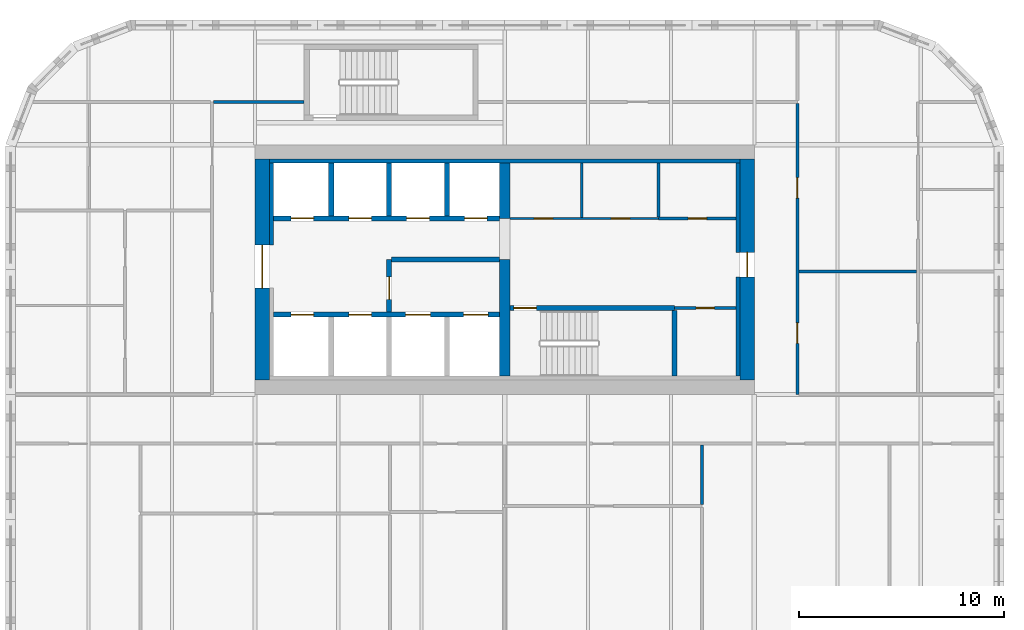
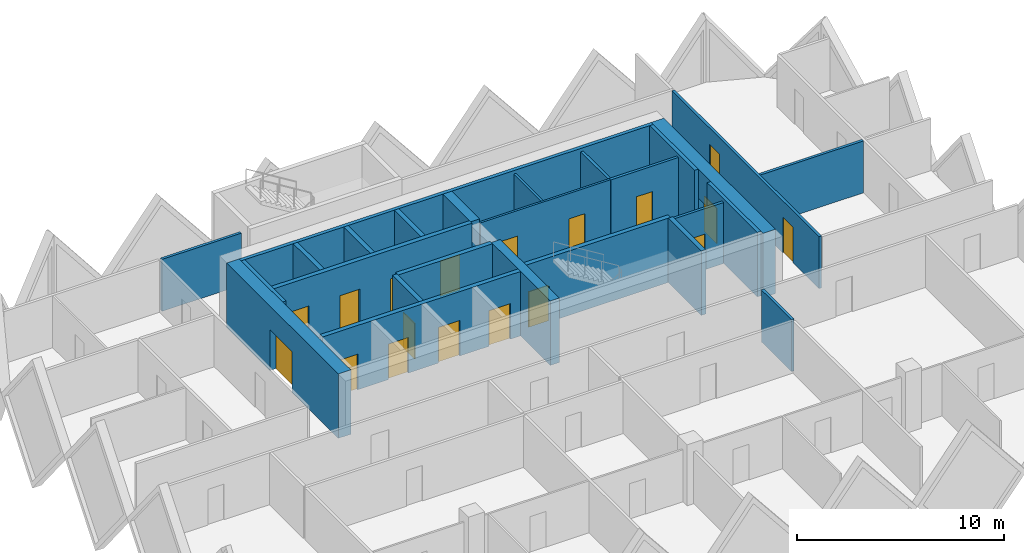
# One storey, part 14 of 19: 26 walls, 18 doors, 18 openings.
"""IFC4 building model written with IfcOpenShell, lengths in metres."""

from ifc_helpers import new_model, si_unit, direction, frame, frame_2d, origin, place, context, subcontext, project, spatial, rectangle, extrude, source, transform, mapped, material, layer, layer_set, type_object, element, fill, save


model = new_model("IFC4")

# Units and contexts
model_context = context("Model", 3, precision=1e-05, world=origin(), true_north=direction((0.0, 1.0)))
body_context = subcontext(model_context, "Body", "Model", "MODEL_VIEW")
ifc_project = project(units=[si_unit("LENGTHUNIT", "METRE"), si_unit("AREAUNIT", "SQUARE_METRE"), si_unit("VOLUMEUNIT", "CUBIC_METRE"), si_unit("PLANEANGLEUNIT", "RADIAN"), si_unit("MASSUNIT", "GRAM", prefix="KILO")], contexts=[model_context])

# Site, building, storey
site_placement = place(None, origin())
site = spatial("IfcSite", under=ifc_project, at=site_placement, CompositionType="ELEMENT")
building_placement = place(site_placement, origin())
building = spatial("IfcBuilding", under=site, at=building_placement, Name="Tessera Gate Towers", CompositionType="ELEMENT")
storey_placement = place(building_placement, frame((0.0, 0.0, 33.39990234375)))
storey = spatial("IfcBuildingStorey", under=building, at=storey_placement, Name="L07", CompositionType="ELEMENT", Elevation=33.39990234375)

# Wall, openings, doors
ifc_material_1 = material(Name="Concrete C40/50", Category="concrete")
ifc_layer_1 = layer(ifc_material_1, 0.25)
ifc_layer_set_1 = layer_set([ifc_layer_1], Name="CORE ENCLOSURE WALL 250")
wall_type_1 = type_object("IfcWallType", Name="CORE ENCLOSURE WALL 250", PredefinedType="SOLIDWALL", material=ifc_layer_set_1)
wall_1_placement = place(storey_placement, frame((98.5, 40.5, 0.0), z_axis=(0.0, 0.0, 1.0), x_axis=(1.0, 0.0, 0.0)))
wall_1 = element("IfcWall", 1, at=wall_1_placement, inside=storey, type_object=wall_type_1, Name="L07 shaft and stair enclosure wall", PredefinedType="SOLIDWALL", context=body_context, shape_type="SweptSolid", body=[
    extrude(rectangle(XDim=11.050048828125, YDim=0.25, at=frame_2d((5.52490234375, 0.0))), origin(), (0.0, 0.0, 1.0), 3.800048828125),
])
shared_shape_1 = source(origin(), body_context, "Body", "SweptSolid", [
    extrude(rectangle(XDim=1.10009765625, YDim=2.10009765625, at=frame_2d((0.550048828125, 1.050048828125))), frame((0.0, 0.135009765625, 0.0), z_axis=(0.0, -1.0, 0.0), x_axis=(1.0, 0.0, 0.0)), (0.0, 0.0, 1.0), 0.27001953125),
])
opening_1_placement = place(wall_1_placement, frame((0.862548828125, 0.0, 0.0)))
opening_1 = element("IfcOpeningElement", 2, at=opening_1_placement, cuts=wall_1, Name="Opening LD-TL1", PredefinedType="OPENING", context=body_context, shape_type="MappedRepresentation", body=[
    mapped(shared_shape_1, transform((0.0, 0.0, 0.0), scale=1.0)),
])
opening_2_placement = place(wall_1_placement, frame((3.6875, 0.0, 0.0)))
opening_2 = element("IfcOpeningElement", 3, at=opening_2_placement, cuts=wall_1, Name="Opening LD-TL2", PredefinedType="OPENING", context=body_context, shape_type="MappedRepresentation", body=[
    mapped(shared_shape_1, transform((0.0, 0.0, 0.0), scale=1.0)),
])
shared_shape_2 = source(origin(), body_context, "Body", "SweptSolid", [
    extrude(rectangle(XDim=1.199951171875, YDim=2.10009765625, at=frame_2d((0.60009765625, 1.050048828125))), frame((0.0, 0.135009765625, 0.0), z_axis=(0.0, -1.0, 0.0), x_axis=(1.0, 0.0, 0.0)), (0.0, 0.0, 1.0), 0.27001953125),
])
opening_3_placement = place(wall_1_placement, frame((6.46240234375, 0.0, 0.0)))
opening_3 = element("IfcOpeningElement", 4, at=opening_3_placement, cuts=wall_1, Name="Opening LD-FF3", PredefinedType="OPENING", context=body_context, shape_type="MappedRepresentation", body=[
    mapped(shared_shape_2, transform((0.0, 0.0, 0.0), scale=1.0)),
])
opening_4_placement = place(wall_1_placement, frame((9.28759765625, 0.0, 0.0)))
opening_4 = element("IfcOpeningElement", 5, at=opening_4_placement, cuts=wall_1, Name="Opening LD-FF4", PredefinedType="OPENING", context=body_context, shape_type="MappedRepresentation", body=[
    mapped(shared_shape_2, transform((0.0, 0.0, 0.0), scale=1.0)),
])
ifc_material_2 = material(Name="Stainless steel", Category="steel")
door_type_1 = type_object("IfcDoorType", Name="CORE DOOR LD1200 1200x2100", OperationType="DOUBLE_DOOR_SLIDING", PredefinedType="DOOR", material=ifc_material_2)
shared_shape_3 = source(origin(), body_context, "Body", "SweptSolid", [
    extrude(rectangle(XDim=1.199951171875, YDim=2.10009765625, at=frame_2d((0.60009765625, 1.050048828125))), frame((0.0, 0.02490234375, 0.0), z_axis=(0.0, -1.0, 0.0), x_axis=(1.0, 0.0, 0.0)), (0.0, 0.0, 1.0), 0.050048828125),
])
door_1_placement = place(opening_3_placement, origin())
door_1 = element("IfcDoor", 6, at=door_1_placement, inside=storey, type_object=door_type_1, Name="Landing door FF3 L07", OperationType="DOUBLE_DOOR_SLIDING", OverallHeight=2.10009765625, OverallWidth=1.199951171875, PredefinedType="DOOR", context=body_context, shape_type="MappedRepresentation", body=[
    mapped(shared_shape_3, transform((0.0, 0.0, 0.0), scale=1.0)),
])
fill(opening_3, door_1)
door_2_placement = place(opening_4_placement, origin())
door_2 = element("IfcDoor", 7, at=door_2_placement, inside=storey, type_object=door_type_1, Name="Landing door FF4 L07", OperationType="DOUBLE_DOOR_SLIDING", OverallHeight=2.10009765625, OverallWidth=1.199951171875, PredefinedType="DOOR", context=body_context, shape_type="MappedRepresentation", body=[
    mapped(shared_shape_3, transform((0.0, 0.0, 0.0), scale=1.0)),
])
fill(opening_4, door_2)
ifc_material_3 = material(Name="Stainless steel", Category="steel")
door_type_2 = type_object("IfcDoorType", Name="CORE DOOR LD 1100x2100", OperationType="DOUBLE_DOOR_SLIDING", PredefinedType="DOOR", material=ifc_material_3)
shared_shape_4 = source(origin(), body_context, "Body", "SweptSolid", [
    extrude(rectangle(XDim=1.10009765625, YDim=2.10009765625, at=frame_2d((0.550048828125, 1.050048828125))), frame((0.0, 0.02490234375, 0.0), z_axis=(0.0, -1.0, 0.0), x_axis=(1.0, 0.0, 0.0)), (0.0, 0.0, 1.0), 0.050048828125),
])
door_3_placement = place(opening_1_placement, origin())
door_3 = element("IfcDoor", 8, at=door_3_placement, inside=storey, type_object=door_type_2, Name="Landing door TL1 L07", OperationType="DOUBLE_DOOR_SLIDING", OverallHeight=2.10009765625, OverallWidth=1.10009765625, PredefinedType="DOOR", context=body_context, shape_type="MappedRepresentation", body=[
    mapped(shared_shape_4, transform((0.0, 0.0, 0.0), scale=1.0)),
])
fill(opening_1, door_3)
door_4_placement = place(opening_2_placement, origin())
door_4 = element("IfcDoor", 9, at=door_4_placement, inside=storey, type_object=door_type_2, Name="Landing door TL2 L07", OperationType="DOUBLE_DOOR_SLIDING", OverallHeight=2.10009765625, OverallWidth=1.10009765625, PredefinedType="DOOR", context=body_context, shape_type="MappedRepresentation", body=[
    mapped(shared_shape_4, transform((0.0, 0.0, 0.0), scale=1.0)),
])
fill(opening_2, door_4)

wall_2_placement = place(storey_placement, frame((109.550048828125, 45.199951171875, 0.0), z_axis=(0.0, 0.0, 1.0), x_axis=(-1.0, 0.0, 0.0)))
wall_2 = element("IfcWall", 10, at=wall_2_placement, inside=storey, type_object=wall_type_1, Name="L07 shaft and stair enclosure wall", PredefinedType="SOLIDWALL", context=body_context, shape_type="SweptSolid", body=[
    extrude(rectangle(XDim=11.050048828125, YDim=0.25, at=frame_2d((5.52490234375, 0.0))), origin(), (0.0, 0.0, 1.0), 3.800048828125),
])
opening_5_placement = place(wall_2_placement, frame((9.08740234375, 0.0, 0.0)))
opening_5 = element("IfcOpeningElement", 11, at=opening_5_placement, cuts=wall_2, Name="Opening LD-TL3", PredefinedType="OPENING", context=body_context, shape_type="MappedRepresentation", body=[
    mapped(shared_shape_1, transform((0.0, 0.0, 0.0), scale=1.0)),
])
opening_6_placement = place(wall_2_placement, frame((6.262451171875, 0.0, 0.0)))
opening_6 = element("IfcOpeningElement", 12, at=opening_6_placement, cuts=wall_2, Name="Opening LD-TL4", PredefinedType="OPENING", context=body_context, shape_type="MappedRepresentation", body=[
    mapped(shared_shape_1, transform((0.0, 0.0, 0.0), scale=1.0)),
])
opening_7_placement = place(wall_2_placement, frame((3.4375, 0.0, 0.0)))
opening_7 = element("IfcOpeningElement", 13, at=opening_7_placement, cuts=wall_2, Name="Opening LD-TL5", PredefinedType="OPENING", context=body_context, shape_type="MappedRepresentation", body=[
    mapped(shared_shape_1, transform((0.0, 0.0, 0.0), scale=1.0)),
])
opening_8_placement = place(wall_2_placement, frame((0.612548828125, 0.0, 0.0)))
opening_8 = element("IfcOpeningElement", 14, at=opening_8_placement, cuts=wall_2, Name="Opening LD-TL6", PredefinedType="OPENING", context=body_context, shape_type="MappedRepresentation", body=[
    mapped(shared_shape_1, transform((0.0, 0.0, 0.0), scale=1.0)),
])
door_5_placement = place(opening_5_placement, origin())
door_5 = element("IfcDoor", 15, at=door_5_placement, inside=storey, type_object=door_type_2, Name="Landing door TL3 L07", OperationType="DOUBLE_DOOR_SLIDING", OverallHeight=2.10009765625, OverallWidth=1.10009765625, PredefinedType="DOOR", context=body_context, shape_type="MappedRepresentation", body=[
    mapped(shared_shape_4, transform((0.0, 0.0, 0.0), scale=1.0)),
])
fill(opening_5, door_5)
door_6_placement = place(opening_6_placement, origin())
door_6 = element("IfcDoor", 16, at=door_6_placement, inside=storey, type_object=door_type_2, Name="Landing door TL4 L07", OperationType="DOUBLE_DOOR_SLIDING", OverallHeight=2.10009765625, OverallWidth=1.10009765625, PredefinedType="DOOR", context=body_context, shape_type="MappedRepresentation", body=[
    mapped(shared_shape_4, transform((0.0, 0.0, 0.0), scale=1.0)),
])
fill(opening_6, door_6)
door_7_placement = place(opening_7_placement, origin())
door_7 = element("IfcDoor", 17, at=door_7_placement, inside=storey, type_object=door_type_2, Name="Landing door TL5 L07", OperationType="DOUBLE_DOOR_SLIDING", OverallHeight=2.10009765625, OverallWidth=1.10009765625, PredefinedType="DOOR", context=body_context, shape_type="MappedRepresentation", body=[
    mapped(shared_shape_4, transform((0.0, 0.0, 0.0), scale=1.0)),
])
fill(opening_7, door_7)
door_8_placement = place(opening_8_placement, origin())
door_8 = element("IfcDoor", 18, at=door_8_placement, inside=storey, type_object=door_type_2, Name="Landing door TL6 L07", OperationType="DOUBLE_DOOR_SLIDING", OverallHeight=2.10009765625, OverallWidth=1.10009765625, PredefinedType="DOOR", context=body_context, shape_type="MappedRepresentation", body=[
    mapped(shared_shape_4, transform((0.0, 0.0, 0.0), scale=1.0)),
])
fill(opening_8, door_8)

# Wall, opening, door
wall_3_placement = place(storey_placement, frame((118.10009765625, 40.824951171875, 0.0), z_axis=(0.0, 0.0, 1.0), x_axis=(-1.0, 0.0, 0.0)))
wall_3 = element("IfcWall", 19, at=wall_3_placement, inside=storey, type_object=wall_type_1, Name="L07 shaft and stair enclosure wall", PredefinedType="SOLIDWALL", context=body_context, shape_type="SweptSolid", body=[
    extrude(rectangle(XDim=8.050048828125, YDim=0.25, at=frame_2d((4.02490234375, 0.0))), origin(), (0.0, 0.0, 1.0), 3.800048828125),
])
opening_9_placement = place(wall_3_placement, frame((6.75, 0.0, 0.0)))
opening_9 = element("IfcOpeningElement", 20, at=opening_9_placement, cuts=wall_3, Name="Opening SD-ST6-1", PredefinedType="OPENING", context=body_context, shape_type="MappedRepresentation", body=[
    mapped(shared_shape_1, transform((0.0, 0.0, 0.0), scale=1.0)),
])
ifc_material_4 = material(Name="Hollow steel fire door", Category="steel")
door_type_3 = type_object("IfcDoorType", Name="CORE DOOR SD1100 1100x2100", OperationType="NOTDEFINED", PredefinedType="DOOR", material=ifc_material_4)
door_9_placement = place(opening_9_placement, origin())
door_9 = element("IfcDoor", 21, at=door_9_placement, inside=storey, type_object=door_type_3, Name="Stair door", OperationType="SINGLE_SWING_RIGHT", OverallHeight=2.10009765625, OverallWidth=1.10009765625, PredefinedType="DOOR", context=body_context, shape_type="MappedRepresentation", body=[
    mapped(shared_shape_4, transform((0.0, 0.0, 0.0), scale=1.0)),
])
fill(opening_9, door_9)

wall_4_placement = place(storey_placement, frame((104.14990234375, 43.199951171875, 0.0), z_axis=(0.0, 0.0, 1.0), x_axis=(0.0, -1.0, 0.0)))
wall_4 = element("IfcWall", 22, at=wall_4_placement, inside=storey, type_object=wall_type_1, Name="L07 shaft and stair enclosure wall", PredefinedType="SOLIDWALL", context=body_context, shape_type="SweptSolid", body=[
    extrude(rectangle(XDim=2.574951171875, YDim=0.25, at=frame_2d((1.28759765625, 0.0))), origin(), (0.0, 0.0, 1.0), 3.800048828125),
])
opening_10_placement = place(wall_4_placement, frame((0.85009765625, 0.0, 0.0)))
opening_10 = element("IfcOpeningElement", 23, at=opening_10_placement, cuts=wall_4, Name="Opening FD-T2-07-03", PredefinedType="OPENING", context=body_context, shape_type="MappedRepresentation", body=[
    mapped(shared_shape_1, transform((0.0, 0.0, 0.0), scale=1.0)),
])
ifc_material_5 = material(Name="Hollow steel fire door", Category="steel")
door_type_4 = type_object("IfcDoorType", Name="CORE DOOR FD 1100x2100", OperationType="NOTDEFINED", PredefinedType="DOOR", material=ifc_material_5)
door_10_placement = place(opening_10_placement, origin())
door_10 = element("IfcDoor", 24, at=door_10_placement, inside=storey, type_object=door_type_4, Name="Fire-fighting lobby door", OperationType="SINGLE_SWING_RIGHT", OverallHeight=2.10009765625, OverallWidth=1.10009765625, PredefinedType="DOOR", context=body_context, shape_type="MappedRepresentation", body=[
    mapped(shared_shape_4, transform((0.0, 0.0, 0.0), scale=1.0)),
])
fill(opening_10, door_10)

# Walls
wall_5_placement = place(storey_placement, frame((104.27490234375, 43.199951171875, 0.0), z_axis=(0.0, 0.0, 1.0), x_axis=(1.0, 0.0, 0.0)))
element("IfcWall", 25, at=wall_5_placement, inside=storey, type_object=wall_type_1, Name="L07 shaft and stair enclosure wall", PredefinedType="SOLIDWALL", context=body_context, shape_type="SweptSolid", body=[
    extrude(rectangle(XDim=5.275146484375, YDim=0.25, at=frame_2d((2.6376953125, 0.0))), origin(), (0.0, 0.0, 1.0), 3.800048828125),
])
wall_6_placement = place(storey_placement, frame((118.10009765625, 37.5, 0.0), z_axis=(0.0, 0.0, 1.0), x_axis=(0.0, 1.0, 0.0)))
element("IfcWall", 26, at=wall_6_placement, inside=storey, type_object=wall_type_1, Name="L07 shaft and stair enclosure wall", PredefinedType="SOLIDWALL", context=body_context, shape_type="SweptSolid", body=[
    extrude(rectangle(XDim=3.199951171875, YDim=0.25, at=frame_2d((1.60009765625, 0.0))), origin(), (0.0, 0.0, 1.0), 3.800048828125),
])
for number, where, z_axis, x_axis, name in (
    (27, (101.324951171875, 45.324951171875, 0.0), (0.0, 0.0, 1.0), (0.0, 1.0, 0.0), "L07 shaft and stair enclosure wall"),
    (28, (104.14990234375, 45.324951171875, 0.0), (0.0, 0.0, 1.0), (0.0, 1.0, 0.0), "L07 shaft and stair enclosure wall"),
    (29, (106.97509765625, 45.324951171875, 0.0), (0.0, 0.0, 1.0), (0.0, 1.0, 0.0), "L07 shaft and stair enclosure wall"),
):
    element("IfcWall", number, at=place(storey_placement, frame(where, z_axis=z_axis, x_axis=x_axis)), inside=storey, type_object=wall_type_1, Name=name, PredefinedType="SOLIDWALL", context=body_context, shape_type="SweptSolid", body=[
        extrude(rectangle(XDim=2.574951171875, YDim=0.25, at=frame_2d((1.28759765625, 0.0))), origin(), (0.0, 0.0, 1.0), 3.800048828125),
    ])

# Wall, openings, doors
ifc_material_6 = material(Name="Gypsum board on steel studs", Category="steel")
ifc_layer_2 = layer(ifc_material_6, 0.1201171875)
ifc_layer_set_2 = layer_set([ifc_layer_2], Name="CORE PARTITION 120")
wall_type_2 = type_object("IfcWallType", Name="CORE PARTITION 120", PredefinedType="PARTITIONING", material=ifc_layer_set_2)
wall_7_placement = place(storey_placement, frame((110.050048828125, 45.199951171875, 0.0), z_axis=(0.0, 0.0, 1.0), x_axis=(1.0, 0.0, 0.0)))
wall_7 = element("IfcWall", 30, at=wall_7_placement, inside=storey, type_object=wall_type_2, Name="L07 core partition", PredefinedType="PARTITIONING", context=body_context, shape_type="SweptSolid", body=[
    extrude(rectangle(XDim=7.27490234375, YDim=0.1201171875, at=frame_2d((3.637451171875, 0.0))), origin(), (0.0, 0.0, 1.0), 3.60009765625),
])
shared_shape_5 = source(origin(), body_context, "Body", "SweptSolid", [
    extrude(rectangle(XDim=0.89990234375, YDim=2.10009765625, at=frame_2d((0.449951171875, 1.050048828125))), frame((0.0, 0.070068359375, 0.0), z_axis=(0.0, -1.0, 0.0), x_axis=(1.0, 0.0, 0.0)), (0.0, 0.0, 1.0), 0.14013671875),
])
opening_11_placement = place(wall_7_placement, frame((1.1875, 0.0, 0.0)))
opening_11 = element("IfcOpeningElement", 31, at=opening_11_placement, cuts=wall_7, Name="Opening RD-T2-07-04", PredefinedType="OPENING", context=body_context, shape_type="MappedRepresentation", body=[
    mapped(shared_shape_5, transform((0.0, 0.0, 0.0), scale=1.0)),
])
opening_12_placement = place(wall_7_placement, frame((4.949951171875, 0.0, 0.0)))
opening_12 = element("IfcOpeningElement", 32, at=opening_12_placement, cuts=wall_7, Name="Opening RD-T2-07-05", PredefinedType="OPENING", context=body_context, shape_type="MappedRepresentation", body=[
    mapped(shared_shape_5, transform((0.0, 0.0, 0.0), scale=1.0)),
])
ifc_material_7 = material(Name="Hollow steel fire door", Category="steel")
door_type_5 = type_object("IfcDoorType", Name="CORE DOOR RD 900x2100", OperationType="NOTDEFINED", PredefinedType="DOOR", material=ifc_material_7)
shared_shape_6 = source(origin(), body_context, "Body", "SweptSolid", [
    extrude(rectangle(XDim=0.89990234375, YDim=2.10009765625, at=frame_2d((0.449951171875, 1.050048828125))), frame((0.0, 0.02490234375, 0.0), z_axis=(0.0, -1.0, 0.0), x_axis=(1.0, 0.0, 0.0)), (0.0, 0.0, 1.0), 0.050048828125),
])
door_11_placement = place(opening_11_placement, origin())
door_11 = element("IfcDoor", 33, at=door_11_placement, inside=storey, type_object=door_type_5, Name="Core room door", OperationType="SINGLE_SWING_LEFT", OverallHeight=2.10009765625, OverallWidth=0.89990234375, PredefinedType="DOOR", context=body_context, shape_type="MappedRepresentation", body=[
    mapped(shared_shape_6, transform((0.0, 0.0, 0.0), scale=1.0)),
])
fill(opening_11, door_11)
door_12_placement = place(opening_12_placement, origin())
door_12 = element("IfcDoor", 34, at=door_12_placement, inside=storey, type_object=door_type_5, Name="Core room door", OperationType="SINGLE_SWING_RIGHT", OverallHeight=2.10009765625, OverallWidth=0.89990234375, PredefinedType="DOOR", context=body_context, shape_type="MappedRepresentation", body=[
    mapped(shared_shape_6, transform((0.0, 0.0, 0.0), scale=1.0)),
])
fill(opening_12, door_12)

# Wall
wall_8_placement = place(storey_placement, frame((113.574951171875, 45.260009765625, 0.0), z_axis=(0.0, 0.0, 1.0), x_axis=(0.0, 1.0, 0.0)))
element("IfcWall", 35, at=wall_8_placement, inside=storey, type_object=wall_type_2, Name="L07 core partition", PredefinedType="PARTITIONING", context=body_context, shape_type="SweptSolid", body=[
    extrude(rectangle(XDim=2.639892578125, YDim=0.1201171875, at=frame_2d((1.31982421875, 0.0))), origin(), (0.0, 0.0, 1.0), 3.60009765625),
])

# Wall, opening, door
ifc_material_8 = material(Name="Concrete C60/75", Category="concrete")
ifc_layer_3 = layer(ifc_material_8, 0.699951171875)
ifc_layer_set_3 = layer_set([ifc_layer_3], Name="CORE SHEAR WALL 700 C60/75")
wall_type_3 = type_object("IfcWallType", Name="CORE SHEAR WALL 700 C60/75", PredefinedType="SHEAR", material=ifc_layer_set_3)
wall_9_placement = place(storey_placement, frame((97.949951171875, 37.300048828125, 0.0), z_axis=(0.0, 0.0, 1.0), x_axis=(0.0, 1.0, 0.0)))
wall_9 = element("IfcWall", 36, at=wall_9_placement, inside=storey, type_object=wall_type_3, Name="Core wall W L07", PredefinedType="SHEAR", context=body_context, shape_type="SweptSolid", body=[
    extrude(rectangle(XDim=10.800048828125, YDim=0.699951171875, at=frame_2d((5.39990234375, 0.0))), origin(), (0.0, 0.0, 1.0), 3.800048828125),
])
shared_shape_7 = source(origin(), body_context, "Body", "SweptSolid", [
    extrude(rectangle(XDim=2.10009765625, YDim=2.39990234375, at=frame_2d((1.050048828125, 1.199951171875))), frame((0.0, 0.35986328125, 0.0), z_axis=(0.0, -1.0, 0.0), x_axis=(1.0, 0.0, 0.0)), (0.0, 0.0, 1.0), 0.719970703125),
])
opening_13_placement = place(wall_9_placement, frame((4.5, 0.0, 0.0)))
opening_13 = element("IfcOpeningElement", 37, at=opening_13_placement, cuts=wall_9, Name="Opening DD-T2-07-01", PredefinedType="OPENING", context=body_context, shape_type="MappedRepresentation", body=[
    mapped(shared_shape_7, transform((0.0, 0.0, 0.0), scale=1.0)),
])
ifc_material_9 = material(Name="Hollow steel fire door", Category="steel")
door_type_6 = type_object("IfcDoorType", Name="CORE DOOR DD 2100x2400", OperationType="NOTDEFINED", PredefinedType="DOOR", material=ifc_material_9)
shared_shape_8 = source(origin(), body_context, "Body", "SweptSolid", [
    extrude(rectangle(XDim=2.10009765625, YDim=2.39990234375, at=frame_2d((1.050048828125, 1.199951171875))), frame((0.0, 0.02490234375, 0.0), z_axis=(0.0, -1.0, 0.0), x_axis=(1.0, 0.0, 0.0)), (0.0, 0.0, 1.0), 0.050048828125),
])
door_13_placement = place(opening_13_placement, origin())
door_13 = element("IfcDoor", 38, at=door_13_placement, inside=storey, type_object=door_type_6, Name="Core entrance door", OperationType="DOUBLE_DOOR_SINGLE_SWING", OverallHeight=2.39990234375, OverallWidth=2.10009765625, PredefinedType="DOOR", context=body_context, shape_type="MappedRepresentation", body=[
    mapped(shared_shape_8, transform((0.0, 0.0, 0.0), scale=1.0)),
])
fill(opening_13, door_13)

wall_10_placement = place(storey_placement, frame((121.64990234375, 48.10009765625, 0.0), z_axis=(0.0, 0.0, 1.0), x_axis=(0.0, -1.0, 0.0)))
wall_10 = element("IfcWall", 39, at=wall_10_placement, inside=storey, type_object=wall_type_3, Name="Core wall E L07", PredefinedType="SHEAR", context=body_context, shape_type="SweptSolid", body=[
    extrude(rectangle(XDim=10.800048828125, YDim=0.699951171875, at=frame_2d((5.39990234375, 0.0))), origin(), (0.0, 0.0, 1.0), 3.800048828125),
])
shared_shape_9 = source(origin(), body_context, "Body", "SweptSolid", [
    extrude(rectangle(XDim=1.199951171875, YDim=2.10009765625, at=frame_2d((0.60009765625, 1.050048828125))), frame((0.0, 0.35986328125, 0.0), z_axis=(0.0, -1.0, 0.0), x_axis=(1.0, 0.0, 0.0)), (0.0, 0.0, 1.0), 0.719970703125),
])
opening_14_placement = place(wall_10_placement, frame((4.550048828125, 0.0, 0.0)))
opening_14 = element("IfcOpeningElement", 40, at=opening_14_placement, cuts=wall_10, Name="Opening ED-T2-07-02", PredefinedType="OPENING", context=body_context, shape_type="MappedRepresentation", body=[
    mapped(shared_shape_9, transform((0.0, 0.0, 0.0), scale=1.0)),
])
ifc_material_10 = material(Name="Hollow steel fire door", Category="steel")
door_type_7 = type_object("IfcDoorType", Name="CORE DOOR ED 1200x2100", OperationType="NOTDEFINED", PredefinedType="DOOR", material=ifc_material_10)
door_14_placement = place(opening_14_placement, origin())
door_14 = element("IfcDoor", 41, at=door_14_placement, inside=storey, type_object=door_type_7, Name="Core exit door", OperationType="SINGLE_SWING_LEFT", OverallHeight=2.10009765625, OverallWidth=1.199951171875, PredefinedType="DOOR", context=body_context, shape_type="MappedRepresentation", body=[
    mapped(shared_shape_3, transform((0.0, 0.0, 0.0), scale=1.0)),
])
fill(opening_14, door_14)

# Walls
ifc_material_11 = material(Name="Concrete C60/75", Category="concrete")
ifc_layer_4 = layer(ifc_material_11, 0.5)
ifc_layer_set_4 = layer_set([ifc_layer_4], Name="CORE SPINE WALL 500 C60/75")
wall_type_4 = type_object("IfcWallType", Name="CORE SPINE WALL 500 C60/75", PredefinedType="SHEAR", material=ifc_layer_set_4)
wall_11_placement = place(storey_placement, frame((109.800048828125, 37.5, 0.0), z_axis=(0.0, 0.0, 1.0), x_axis=(0.0, 1.0, 0.0)))
element("IfcWall", 42, at=wall_11_placement, inside=storey, type_object=wall_type_4, Name="Core wall spine L07", PredefinedType="SHEAR", context=body_context, shape_type="SweptSolid", body=[
    extrude(rectangle(XDim=5.699951171875, YDim=0.5, at=frame_2d((2.85009765625, 0.0))), origin(), (0.0, 0.0, 1.0), 3.800048828125),
])
wall_12_placement = place(storey_placement, frame((109.800048828125, 45.199951171875, 0.0), z_axis=(0.0, 0.0, 1.0), x_axis=(0.0, 1.0, 0.0)))
element("IfcWall", 43, at=wall_12_placement, inside=storey, type_object=wall_type_4, Name="Core wall spine L07", PredefinedType="SHEAR", context=body_context, shape_type="SweptSolid", body=[
    extrude(rectangle(XDim=2.699951171875, YDim=0.5, at=frame_2d((1.35009765625, 0.0))), origin(), (0.0, 0.0, 1.0), 3.800048828125),
])
ifc_material_12 = material(Name="Concrete C60/75", Category="concrete")
ifc_layer_5 = layer(ifc_material_12, 0.199951171875)
ifc_layer_set_5 = layer_set([ifc_layer_5], Name="CORE WALL THICKENING 200")
wall_type_5 = type_object("IfcWallType", Name="CORE WALL THICKENING 200", PredefinedType="SOLIDWALL", material=ifc_layer_set_5)
wall_13_placement = place(storey_placement, frame((98.300048828125, 48.0, 0.0), z_axis=(0.0, 0.0, 1.0), x_axis=(1.0, 0.0, 0.0)))
element("IfcWall", 44, at=wall_13_placement, inside=storey, type_object=wall_type_5, Name="Core wall thickening N L07", PredefinedType="SOLIDWALL", context=body_context, shape_type="SweptSolid", body=[
    extrude(rectangle(XDim=23.0, YDim=0.199951171875, at=frame_2d((11.5, 0.0))), origin(), (0.0, 0.0, 1.0), 3.800048828125),
])
wall_14_placement = place(storey_placement, frame((98.39990234375, 43.89990234375, 0.0), z_axis=(0.0, 0.0, 1.0), x_axis=(0.0, 1.0, 0.0)))
element("IfcWall", 45, at=wall_14_placement, inside=storey, type_object=wall_type_5, Name="Core wall thickening W L07", PredefinedType="SOLIDWALL", context=body_context, shape_type="SweptSolid", body=[
    extrude(rectangle(XDim=4.0, YDim=0.199951171875, at=frame_2d((2.0, 0.0))), origin(), (0.0, 0.0, 1.0), 3.800048828125),
])
wall_15_placement = place(storey_placement, frame((121.199951171875, 37.5, 0.0), z_axis=(0.0, 0.0, 1.0), x_axis=(0.0, 1.0, 0.0)))
element("IfcWall", 46, at=wall_15_placement, inside=storey, type_object=wall_type_5, Name="Core wall thickening E L07", PredefinedType="SOLIDWALL", context=body_context, shape_type="SweptSolid", body=[
    extrude(rectangle(XDim=4.85009765625, YDim=0.199951171875, at=frame_2d((2.425048828125, 0.0))), origin(), (0.0, 0.0, 1.0), 3.800048828125),
])
wall_16_placement = place(storey_placement, frame((121.199951171875, 43.550048828125, 0.0), z_axis=(0.0, 0.0, 1.0), x_axis=(0.0, 1.0, 0.0)))
element("IfcWall", 47, at=wall_16_placement, inside=storey, type_object=wall_type_5, Name="Core wall thickening E L07", PredefinedType="SOLIDWALL", context=body_context, shape_type="SweptSolid", body=[
    extrude(rectangle(XDim=4.349853515625, YDim=0.199951171875, at=frame_2d((2.1748046875, 0.0))), origin(), (0.0, 0.0, 1.0), 3.800048828125),
])

# Wall, openings, doors
ifc_material_13 = material(Name="Gypsum board on steel studs, mineral wool", Category="steel")
ifc_layer_6 = layer(ifc_material_13, 0.14990234375)
ifc_layer_set_6 = layer_set([ifc_layer_6], Name="CORRIDOR WALL 150")
wall_type_6 = type_object("IfcWallType", Name="CORRIDOR WALL 150", PredefinedType="PARTITIONING", material=ifc_layer_set_6)
wall_17_placement = place(storey_placement, frame((124.10009765625, 50.823974609375, 0.0), z_axis=(0.0, 0.0, 1.0), x_axis=(0.0, -1.0, 0.0)))
wall_17 = element("IfcWall", 48, at=wall_17_placement, inside=storey, type_object=wall_type_6, Name="T2-L07-PW-030", PredefinedType="PARTITIONING", context=body_context, shape_type="SweptSolid", body=[
    extrude(rectangle(XDim=14.223876953125, YDim=0.14990234375, at=frame_2d((7.11181640625, 0.0))), origin(), (0.0, 0.0, 1.0), 3.067138671875),
])
shared_shape_10 = source(origin(), body_context, "Body", "SweptSolid", [
    extrude(rectangle(XDim=1.0, YDim=2.10009765625, at=frame_2d((0.5, 1.050048828125))), frame((0.0, 0.0849609375, 0.0), z_axis=(0.0, -1.0, 0.0), x_axis=(1.0, 0.0, 0.0)), (0.0, 0.0, 1.0), 0.169921875),
])
opening_15_placement = place(wall_17_placement, frame((3.6240234375, 0.0, 0.0)))
opening_15 = element("IfcOpeningElement", 49, at=opening_15_placement, cuts=wall_17, Name="Opening D2100FD60-B03-02", PredefinedType="OPENING", context=body_context, shape_type="MappedRepresentation", body=[
    mapped(shared_shape_10, transform((0.0, 0.0, 0.0), scale=1.0)),
])
opening_16_placement = place(wall_17_placement, frame((10.72412109375, 0.0, 0.0)))
opening_16 = element("IfcOpeningElement", 50, at=opening_16_placement, cuts=wall_17, Name="Opening D2100FD60-B03-04", PredefinedType="OPENING", context=body_context, shape_type="MappedRepresentation", body=[
    mapped(shared_shape_10, transform((0.0, 0.0, 0.0), scale=1.0)),
])
ifc_material_14 = material(Name="Timber door leaf in steel frame", Category="steel")
door_type_8 = type_object("IfcDoorType", Name="TENANCY ENTRANCE DOOR 1000 FD60", OperationType="NOTDEFINED", PredefinedType="DOOR", material=ifc_material_14)
shared_shape_11 = source(origin(), body_context, "Body", "SweptSolid", [
    extrude(rectangle(XDim=1.0, YDim=2.10009765625, at=frame_2d((0.5, 1.050048828125))), frame((0.0, 0.02490234375, 0.0), z_axis=(0.0, -1.0, 0.0), x_axis=(1.0, 0.0, 0.0)), (0.0, 0.0, 1.0), 0.050048828125),
])
door_15_placement = place(opening_15_placement, origin())
door_15 = element("IfcDoor", 51, at=door_15_placement, inside=storey, type_object=door_type_8, Name="T2-L07-PD-021", OperationType="SINGLE_SWING_RIGHT", OverallHeight=2.10009765625, OverallWidth=1.0, PredefinedType="DOOR", context=body_context, shape_type="MappedRepresentation", body=[
    mapped(shared_shape_11, transform((0.0, 0.0, 0.0), scale=1.0)),
])
fill(opening_15, door_15)
door_16_placement = place(opening_16_placement, origin())
door_16 = element("IfcDoor", 52, at=door_16_placement, inside=storey, type_object=door_type_8, Name="T2-L07-PD-025", OperationType="SINGLE_SWING_RIGHT", OverallHeight=2.10009765625, OverallWidth=1.0, PredefinedType="DOOR", context=body_context, shape_type="MappedRepresentation", body=[
    mapped(shared_shape_11, transform((0.0, 0.0, 0.0), scale=1.0)),
])
fill(opening_16, door_16)

# Wall
wall_18_placement = place(storey_placement, frame((95.575927734375, 50.89990234375, 0.0), z_axis=(0.0, 0.0, 1.0), x_axis=(1.0, 0.0, 0.0)))
element("IfcWall", 53, at=wall_18_placement, inside=storey, type_object=wall_type_6, Name="T2-L07-PW-042", PredefinedType="PARTITIONING", context=body_context, shape_type="SweptSolid", body=[
    extrude(rectangle(XDim=4.424072265625, YDim=0.14990234375, at=frame_2d((2.2119140625, 0.0))), origin(), (0.0, 0.0, 1.0), 3.067138671875),
])

# Wall, opening, door
ifc_material_15 = material(Name="Gypsum board on steel studs", Category="steel")
ifc_layer_7 = layer(ifc_material_15, 0.14990234375)
ifc_layer_set_7 = layer_set([ifc_layer_7], Name="SERVICE ROOM WALL 150")
wall_type_7 = type_object("IfcWallType", Name="SERVICE ROOM WALL 150", PredefinedType="PARTITIONING", material=ifc_layer_set_7)
wall_19_placement = place(storey_placement, frame((117.324951171875, 45.199951171875, 0.0), z_axis=(0.0, 0.0, 1.0), x_axis=(1.0, 0.0, 0.0)))
wall_19 = element("IfcWall", 54, at=wall_19_placement, inside=storey, type_object=wall_type_7, Name="L07 service room wall", PredefinedType="PARTITIONING", context=body_context, shape_type="SweptSolid", body=[
    extrude(rectangle(XDim=3.775146484375, YDim=0.14990234375, at=frame_2d((1.8876953125, 0.0))), origin(), (0.0, 0.0, 1.0), 3.60009765625),
])
shared_shape_12 = source(origin(), body_context, "Body", "SweptSolid", [
    extrude(rectangle(XDim=0.89990234375, YDim=2.10009765625, at=frame_2d((0.449951171875, 1.050048828125))), frame((0.0, 0.0849609375, 0.0), z_axis=(0.0, -1.0, 0.0), x_axis=(1.0, 0.0, 0.0)), (0.0, 0.0, 1.0), 0.169921875),
])
opening_17_placement = place(wall_19_placement, frame((1.4375, 0.0, 0.0)))
opening_17 = element("IfcOpeningElement", 55, at=opening_17_placement, cuts=wall_19, Name="Opening RD-T2-07-06", PredefinedType="OPENING", context=body_context, shape_type="MappedRepresentation", body=[
    mapped(shared_shape_12, transform((0.0, 0.0, 0.0), scale=1.0)),
])
door_17_placement = place(opening_17_placement, origin())
door_17 = element("IfcDoor", 56, at=door_17_placement, inside=storey, type_object=door_type_5, Name="Core room door", OperationType="SINGLE_SWING_RIGHT", OverallHeight=2.10009765625, OverallWidth=0.89990234375, PredefinedType="DOOR", context=body_context, shape_type="MappedRepresentation", body=[
    mapped(shared_shape_6, transform((0.0, 0.0, 0.0), scale=1.0)),
])
fill(opening_17, door_17)

wall_20_placement = place(storey_placement, frame((121.10009765625, 40.824951171875, 0.0), z_axis=(0.0, 0.0, 1.0), x_axis=(-1.0, 0.0, 0.0)))
wall_20 = element("IfcWall", 57, at=wall_20_placement, inside=storey, type_object=wall_type_7, Name="L07 service room wall", PredefinedType="PARTITIONING", context=body_context, shape_type="SweptSolid", body=[
    extrude(rectangle(XDim=3.0, YDim=0.14990234375, at=frame_2d((1.5, 0.0))), origin(), (0.0, 0.0, 1.0), 3.60009765625),
])
opening_18_placement = place(wall_20_placement, frame((1.050048828125, 0.0, 0.0)))
opening_18 = element("IfcOpeningElement", 58, at=opening_18_placement, cuts=wall_20, Name="Opening RD-T2-07-07", PredefinedType="OPENING", context=body_context, shape_type="MappedRepresentation", body=[
    mapped(shared_shape_12, transform((0.0, 0.0, 0.0), scale=1.0)),
])
door_18_placement = place(opening_18_placement, origin())
door_18 = element("IfcDoor", 59, at=door_18_placement, inside=storey, type_object=door_type_5, Name="Core room door", OperationType="SINGLE_SWING_RIGHT", OverallHeight=2.10009765625, OverallWidth=0.89990234375, PredefinedType="DOOR", context=body_context, shape_type="MappedRepresentation", body=[
    mapped(shared_shape_6, transform((0.0, 0.0, 0.0), scale=1.0)),
])
fill(opening_18, door_18)

# Walls
wall_21_placement = place(storey_placement, frame((117.324951171875, 45.27490234375, 0.0), z_axis=(0.0, 0.0, 1.0), x_axis=(0.0, 1.0, 0.0)))
element("IfcWall", 60, at=wall_21_placement, inside=storey, type_object=wall_type_7, Name="L07 service room wall", PredefinedType="PARTITIONING", context=body_context, shape_type="SweptSolid", body=[
    extrude(rectangle(XDim=2.625, YDim=0.14990234375, at=frame_2d((1.3125, 0.0))), origin(), (0.0, 0.0, 1.0), 3.60009765625),
])
ifc_material_16 = material(Name="Gypsum board on steel studs, mineral wool", Category="steel")
ifc_layer_8 = layer(ifc_material_16, 0.14990234375)
ifc_layer_set_8 = layer_set([ifc_layer_8], Name="TENANCY WALL 150")
wall_type_8 = type_object("IfcWallType", Name="TENANCY WALL 150", PredefinedType="PARTITIONING", material=ifc_layer_set_8)
wall_22_placement = place(storey_placement, frame((119.449951171875, 31.22607421875, 0.0), z_axis=(0.0, 0.0, 1.0), x_axis=(0.0, 1.0, 0.0)))
element("IfcWall", 61, at=wall_22_placement, inside=storey, type_object=wall_type_8, Name="T2-L07-PW-026", PredefinedType="PARTITIONING", context=body_context, shape_type="SweptSolid", body=[
    extrude(rectangle(XDim=2.89794921875, YDim=0.14990234375, at=frame_2d((1.448974609375, 0.0))), origin(), (0.0, 0.0, 1.0), 3.067138671875),
])
wall_23_placement = place(storey_placement, frame((124.176025390625, 42.60009765625, 0.0), z_axis=(0.0, 0.0, 1.0), x_axis=(1.0, 0.0, 0.0)))
element("IfcWall", 62, at=wall_23_placement, inside=storey, type_object=wall_type_8, Name="T2-L07-PW-035", PredefinedType="PARTITIONING", context=body_context, shape_type="SweptSolid", body=[
    extrude(rectangle(XDim=5.748046875, YDim=0.14990234375, at=frame_2d((2.8740234375, 0.0))), origin(), (0.0, 0.0, 1.0), 3.067138671875),
])

save(model, "model.ifc")
